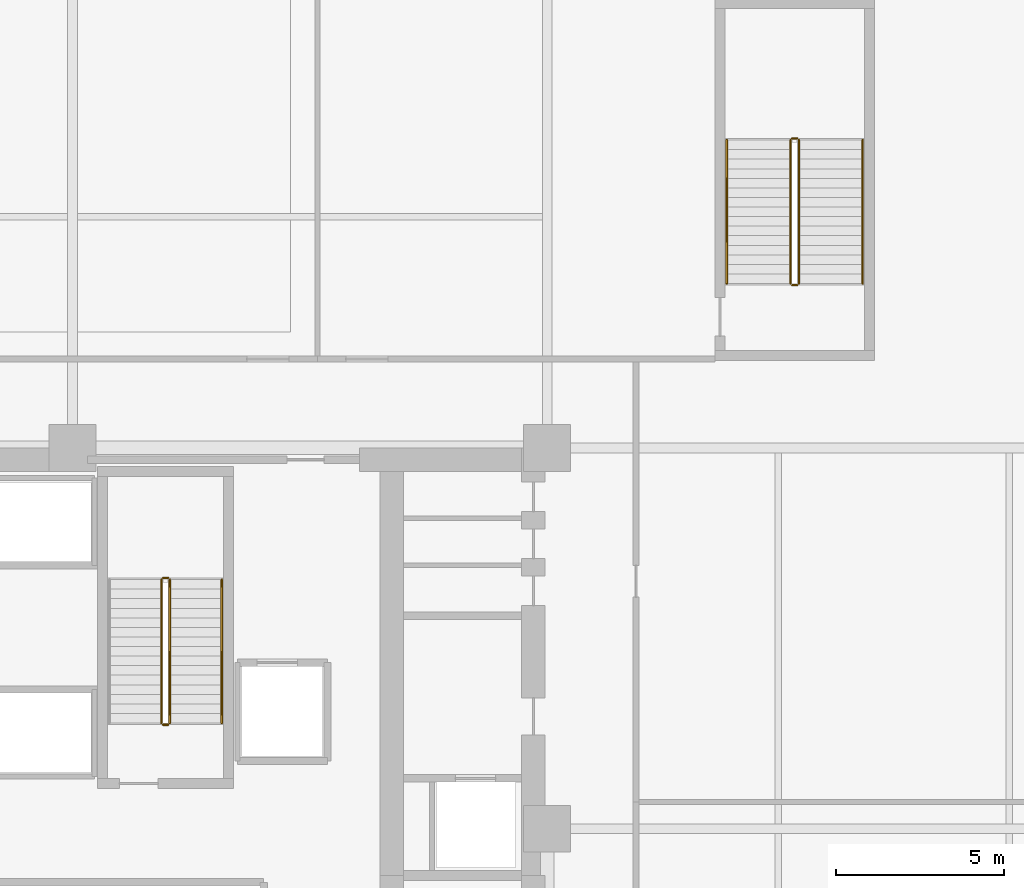
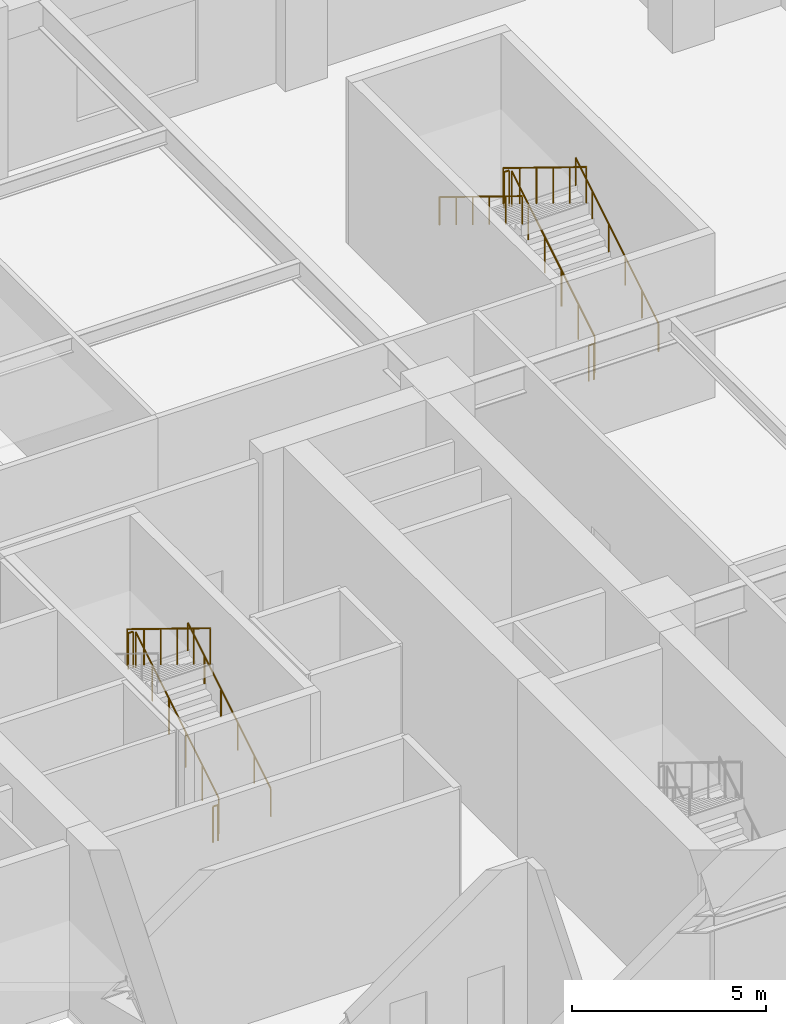
# One storey, part 14 of 14: 11 railings.
"""IFC4 building model written with IfcOpenShell, lengths in metres."""

from ifc_helpers import new_model, si_unit, direction, frame, origin, origin_2d, place, context, subcontext, project, spatial, circle, extrude, material, type_object, element, save


model = new_model("IFC4")

# Units and contexts
model_context = context("Model", 3, precision=1e-05, world=origin(), true_north=direction((0.0, 1.0)))
body_context = subcontext(model_context, "Body", "Model", "MODEL_VIEW")
ifc_project = project(units=[si_unit("LENGTHUNIT", "METRE"), si_unit("AREAUNIT", "SQUARE_METRE"), si_unit("VOLUMEUNIT", "CUBIC_METRE"), si_unit("PLANEANGLEUNIT", "RADIAN"), si_unit("MASSUNIT", "GRAM", prefix="KILO")], contexts=[model_context])

# Site, building, storey
site_placement = place(None, origin())
site = spatial("IfcSite", under=ifc_project, at=site_placement, CompositionType="ELEMENT")
building_placement = place(site_placement, origin())
building = spatial("IfcBuilding", under=site, at=building_placement, Name="Nhamokura Convention Tower", CompositionType="ELEMENT")
storey_placement = place(building_placement, frame((0.0, 0.0, 23.800048828125)))
storey = spatial("IfcBuildingStorey", under=building, at=storey_placement, Name="L04", CompositionType="ELEMENT", Elevation=23.800048828125)

# Railings
ifc_material_1 = material(Name="Anodised bronze stainless steel", Category="steel")
railing_type_1 = type_object("IfcRailingType", Name="StairWallHandrail_900", PredefinedType="HANDRAIL", material=ifc_material_1)
railing_1_placement = place(storey_placement, frame((33.64990234375, 35.14990234375, 0.175048828125)))
element("IfcRailing", 1, at=railing_1_placement, inside=storey, type_object=railing_type_1, Name="L04 ST-03 stair handrail 1", PredefinedType="HANDRAIL", context=body_context, shape_type="SweptSolid", body=[
    extrude(circle(Radius=0.02392578125, at=origin_2d()), frame((0.0, 0.0, 0.8759765625), z_axis=(0.0, 0.852179220489, 0.52325001306), x_axis=(-1.0, 0.0, 0.0)), (0.0, 0.0, 1.0), 5.0166015625),
    extrude(circle(Radius=0.02099609375, at=origin_2d()), origin(), (0.0, 0.0, 1.0), 0.851806640625),
    extrude(circle(Radius=0.02099609375, at=origin_2d()), frame((0.0, 0.85498046875, 0.52490234375)), (0.0, 0.0, 1.0), 0.851806640625),
    extrude(circle(Radius=0.02099609375, at=origin_2d()), frame((0.0, 1.7099609375, 1.050048828125)), (0.0, 0.0, 1.0), 0.851806640625),
    extrude(circle(Radius=0.02099609375, at=origin_2d()), frame((0.0, 2.565185546875, 1.574951171875)), (0.0, 0.0, 1.0), 0.851806640625),
    extrude(circle(Radius=0.02099609375, at=origin_2d()), frame((0.0, 3.420166015625, 2.10009765625)), (0.0, 0.0, 1.0), 0.851806640625),
    extrude(circle(Radius=0.02099609375, at=origin_2d()), frame((0.0, 4.275146484375, 2.625)), (0.0, 0.0, 1.0), 0.851806640625),
])
railing_2_placement = place(storey_placement, frame((52.75, 48.25, 0.175048828125)))
element("IfcRailing", 2, at=railing_2_placement, inside=storey, type_object=railing_type_1, Name="L04 ST-05 stair handrail 1", PredefinedType="HANDRAIL", context=body_context, shape_type="SweptSolid", body=[
    extrude(circle(Radius=0.02392578125, at=origin_2d()), frame((0.0, 0.0, 0.8759765625), z_axis=(0.0, 0.852165895541, 0.523271713813), x_axis=(-1.0, 0.0, 0.0)), (0.0, 0.0, 1.0), 5.0166015625),
    extrude(circle(Radius=0.02099609375, at=origin_2d()), origin(), (0.0, 0.0, 1.0), 0.851806640625),
    extrude(circle(Radius=0.02099609375, at=origin_2d()), frame((0.0, 0.85498046875, 0.52490234375)), (0.0, 0.0, 1.0), 0.851806640625),
    extrude(circle(Radius=0.02099609375, at=origin_2d()), frame((0.0, 1.7099609375, 1.050048828125)), (0.0, 0.0, 1.0), 0.851806640625),
    extrude(circle(Radius=0.02099609375, at=origin_2d()), frame((0.0, 2.56494140625, 1.574951171875)), (0.0, 0.0, 1.0), 0.851806640625),
    extrude(circle(Radius=0.02099609375, at=origin_2d()), frame((0.0, 3.419921875, 2.10009765625)), (0.0, 0.0, 1.0), 0.851806640625),
    extrude(circle(Radius=0.02099609375, at=origin_2d()), frame((0.0, 4.27490234375, 2.625)), (0.0, 0.0, 1.0), 0.851806640625),
])
railing_3_placement = place(storey_placement, frame((48.699951171875, 52.52490234375, 2.974853515625)))
element("IfcRailing", 3, at=railing_3_placement, inside=storey, type_object=railing_type_1, Name="L04 ST-05 stair handrail 2", PredefinedType="HANDRAIL", context=body_context, shape_type="SweptSolid", body=[
    extrude(circle(Radius=0.02392578125, at=origin_2d()), frame((0.0, 0.0, 0.8759765625), z_axis=(0.0, -0.852165895541, 0.523271713813), x_axis=(1.0, 0.0, 0.0)), (0.0, 0.0, 1.0), 5.0166015625),
    extrude(circle(Radius=0.02099609375, at=origin_2d()), origin(), (0.0, 0.0, 1.0), 0.851806640625),
    extrude(circle(Radius=0.02099609375, at=origin_2d()), frame((0.0, -0.85498046875, 0.52490234375)), (0.0, 0.0, 1.0), 0.851806640625),
    extrude(circle(Radius=0.02099609375, at=origin_2d()), frame((0.0, -1.7099609375, 1.050048828125)), (0.0, 0.0, 1.0), 0.851806640625),
    extrude(circle(Radius=0.02099609375, at=origin_2d()), frame((0.0, -2.56494140625, 1.574951171875)), (0.0, 0.0, 1.0), 0.851806640625),
    extrude(circle(Radius=0.02099609375, at=origin_2d()), frame((0.0, -3.419921875, 2.10009765625)), (0.0, 0.0, 1.0), 0.851806640625),
    extrude(circle(Radius=0.02099609375, at=origin_2d()), frame((0.0, -4.27490234375, 2.625)), (0.0, 0.0, 1.0), 0.851806640625),
])
ifc_material_2 = material(Name="Painted tubular steel", Category="steel")
railing_type_2 = type_object("IfcRailingType", Name="StairWellGuardrail_1150", PredefinedType="GUARDRAIL", material=ifc_material_2)
railing_4_placement = place(storey_placement, frame((32.10009765625, 35.14990234375, 0.175048828125)))
element("IfcRailing", 4, at=railing_4_placement, inside=storey, type_object=railing_type_2, Name="L04 ST-03 stair guard 1", PredefinedType="GUARDRAIL", context=body_context, shape_type="SweptSolid", body=[
    extrude(circle(Radius=0.02392578125, at=origin_2d()), frame((0.0, 0.0, 1.1259765625), z_axis=(0.0, 0.852179220489, 0.52325001306), x_axis=(-1.0, 0.0, 0.0)), (0.0, 0.0, 1.0), 5.0166015625),
    extrude(circle(Radius=0.02099609375, at=origin_2d()), origin(), (0.0, 0.0, 1.0), 1.101806640625),
    extrude(circle(Radius=0.02099609375, at=origin_2d()), frame((0.0, 0.85498046875, 0.52490234375)), (0.0, 0.0, 1.0), 1.101806640625),
    extrude(circle(Radius=0.02099609375, at=origin_2d()), frame((0.0, 1.7099609375, 1.050048828125)), (0.0, 0.0, 1.0), 1.101806640625),
    extrude(circle(Radius=0.02099609375, at=origin_2d()), frame((0.0, 2.565185546875, 1.574951171875)), (0.0, 0.0, 1.0), 1.101806640625),
    extrude(circle(Radius=0.02099609375, at=origin_2d()), frame((0.0, 3.420166015625, 2.10009765625)), (0.0, 0.0, 1.0), 1.101806640625),
    extrude(circle(Radius=0.02099609375, at=origin_2d()), frame((0.0, 4.275146484375, 2.625)), (0.0, 0.0, 1.0), 1.101806640625),
])
railing_5_placement = place(storey_placement, frame((32.050048828125, 39.47509765625, 2.800048828125)))
element("IfcRailing", 5, at=railing_5_placement, inside=storey, type_object=railing_type_2, Name="L04 ST-03 stair guard 2", PredefinedType="GUARDRAIL", context=body_context, shape_type="SweptSolid", body=[
    extrude(circle(Radius=0.02392578125, at=origin_2d()), frame((0.0, 0.0, 1.1259765625), z_axis=(-1.0, 0.0, 0.0), x_axis=(0.0, -1.0, 0.0)), (0.0, 0.0, 1.0), 0.150146484375),
    extrude(circle(Radius=0.02099609375, at=origin_2d()), origin(), (0.0, 0.0, 1.0), 1.101806640625),
    extrude(circle(Radius=0.02099609375, at=origin_2d()), frame((-0.150146484375, 0.0, 0.0)), (0.0, 0.0, 1.0), 1.101806640625),
])
railing_6_placement = place(storey_placement, frame((31.85009765625, 39.425048828125, 2.974853515625)))
element("IfcRailing", 6, at=railing_6_placement, inside=storey, type_object=railing_type_2, Name="L04 ST-03 stair guard 3", PredefinedType="GUARDRAIL", context=body_context, shape_type="SweptSolid", body=[
    extrude(circle(Radius=0.02392578125, at=origin_2d()), frame((0.0, 0.0, 1.1259765625), z_axis=(0.0, -0.852179220489, 0.52325001306), x_axis=(1.0, 0.0, 0.0)), (0.0, 0.0, 1.0), 5.0166015625),
    extrude(circle(Radius=0.02099609375, at=origin_2d()), origin(), (0.0, 0.0, 1.0), 1.101806640625),
    extrude(circle(Radius=0.02099609375, at=origin_2d()), frame((0.0, -0.85498046875, 0.52490234375)), (0.0, 0.0, 1.0), 1.101806640625),
    extrude(circle(Radius=0.02099609375, at=origin_2d()), frame((0.0, -1.7099609375, 1.050048828125)), (0.0, 0.0, 1.0), 1.101806640625),
    extrude(circle(Radius=0.02099609375, at=origin_2d()), frame((0.0, -2.565185546875, 1.574951171875)), (0.0, 0.0, 1.0), 1.101806640625),
    extrude(circle(Radius=0.02099609375, at=origin_2d()), frame((0.0, -3.420166015625, 2.10009765625)), (0.0, 0.0, 1.0), 1.101806640625),
    extrude(circle(Radius=0.02099609375, at=origin_2d()), frame((0.0, -4.275146484375, 2.625)), (0.0, 0.0, 1.0), 1.101806640625),
])
railing_7_placement = place(storey_placement, frame((32.050048828125, 35.10009765625, 0.0)))
element("IfcRailing", 7, at=railing_7_placement, inside=storey, type_object=railing_type_2, Name="L04 ST-03 stair guard 4", PredefinedType="GUARDRAIL", context=body_context, shape_type="SweptSolid", body=[
    extrude(circle(Radius=0.02392578125, at=origin_2d()), frame((0.0, 0.0, 1.1259765625), z_axis=(-1.0, 0.0, 0.0), x_axis=(0.0, -1.0, 0.0)), (0.0, 0.0, 1.0), 0.150146484375),
    extrude(circle(Radius=0.02099609375, at=origin_2d()), origin(), (0.0, 0.0, 1.0), 1.101806640625),
    extrude(circle(Radius=0.02099609375, at=origin_2d()), frame((-0.150146484375, 0.0, 0.0)), (0.0, 0.0, 1.0), 1.101806640625),
])
railing_8_placement = place(storey_placement, frame((50.85009765625, 48.25, 0.175048828125)))
element("IfcRailing", 8, at=railing_8_placement, inside=storey, type_object=railing_type_2, Name="L04 ST-05 stair guard 1", PredefinedType="GUARDRAIL", context=body_context, shape_type="SweptSolid", body=[
    extrude(circle(Radius=0.02392578125, at=origin_2d()), frame((0.0, 0.0, 1.1259765625), z_axis=(0.0, 0.852165895541, 0.523271713813), x_axis=(-1.0, 0.0, 0.0)), (0.0, 0.0, 1.0), 5.0166015625),
    extrude(circle(Radius=0.02099609375, at=origin_2d()), origin(), (0.0, 0.0, 1.0), 1.101806640625),
    extrude(circle(Radius=0.02099609375, at=origin_2d()), frame((0.0, 0.85498046875, 0.52490234375)), (0.0, 0.0, 1.0), 1.101806640625),
    extrude(circle(Radius=0.02099609375, at=origin_2d()), frame((0.0, 1.7099609375, 1.050048828125)), (0.0, 0.0, 1.0), 1.101806640625),
    extrude(circle(Radius=0.02099609375, at=origin_2d()), frame((0.0, 2.56494140625, 1.574951171875)), (0.0, 0.0, 1.0), 1.101806640625),
    extrude(circle(Radius=0.02099609375, at=origin_2d()), frame((0.0, 3.419921875, 2.10009765625)), (0.0, 0.0, 1.0), 1.101806640625),
    extrude(circle(Radius=0.02099609375, at=origin_2d()), frame((0.0, 4.27490234375, 2.625)), (0.0, 0.0, 1.0), 1.101806640625),
])
railing_9_placement = place(storey_placement, frame((50.800048828125, 52.574951171875, 2.800048828125)))
element("IfcRailing", 9, at=railing_9_placement, inside=storey, type_object=railing_type_2, Name="L04 ST-05 stair guard 2", PredefinedType="GUARDRAIL", context=body_context, shape_type="SweptSolid", body=[
    extrude(circle(Radius=0.02392578125, at=origin_2d()), frame((0.0, 0.0, 1.1259765625), z_axis=(-1.0, 0.0, 0.0), x_axis=(0.0, -1.0, 0.0)), (0.0, 0.0, 1.0), 0.150146484375),
    extrude(circle(Radius=0.02099609375, at=origin_2d()), origin(), (0.0, 0.0, 1.0), 1.101806640625),
    extrude(circle(Radius=0.02099609375, at=origin_2d()), frame((-0.150146484375, 0.0, 0.0)), (0.0, 0.0, 1.0), 1.101806640625),
])
railing_10_placement = place(storey_placement, frame((50.60009765625, 52.52490234375, 2.974853515625)))
element("IfcRailing", 10, at=railing_10_placement, inside=storey, type_object=railing_type_2, Name="L04 ST-05 stair guard 3", PredefinedType="GUARDRAIL", context=body_context, shape_type="SweptSolid", body=[
    extrude(circle(Radius=0.02392578125, at=origin_2d()), frame((0.0, 0.0, 1.1259765625), z_axis=(0.0, -0.852165895541, 0.523271713813), x_axis=(1.0, 0.0, 0.0)), (0.0, 0.0, 1.0), 5.0166015625),
    extrude(circle(Radius=0.02099609375, at=origin_2d()), origin(), (0.0, 0.0, 1.0), 1.101806640625),
    extrude(circle(Radius=0.02099609375, at=origin_2d()), frame((0.0, -0.85498046875, 0.52490234375)), (0.0, 0.0, 1.0), 1.101806640625),
    extrude(circle(Radius=0.02099609375, at=origin_2d()), frame((0.0, -1.7099609375, 1.050048828125)), (0.0, 0.0, 1.0), 1.101806640625),
    extrude(circle(Radius=0.02099609375, at=origin_2d()), frame((0.0, -2.56494140625, 1.574951171875)), (0.0, 0.0, 1.0), 1.101806640625),
    extrude(circle(Radius=0.02099609375, at=origin_2d()), frame((0.0, -3.419921875, 2.10009765625)), (0.0, 0.0, 1.0), 1.101806640625),
    extrude(circle(Radius=0.02099609375, at=origin_2d()), frame((0.0, -4.27490234375, 2.625)), (0.0, 0.0, 1.0), 1.101806640625),
])
railing_11_placement = place(storey_placement, frame((50.800048828125, 48.199951171875, 0.0)))
element("IfcRailing", 11, at=railing_11_placement, inside=storey, type_object=railing_type_2, Name="L04 ST-05 stair guard 4", PredefinedType="GUARDRAIL", context=body_context, shape_type="SweptSolid", body=[
    extrude(circle(Radius=0.02392578125, at=origin_2d()), frame((0.0, 0.0, 1.1259765625), z_axis=(-1.0, 0.0, 0.0), x_axis=(0.0, -1.0, 0.0)), (0.0, 0.0, 1.0), 0.150146484375),
    extrude(circle(Radius=0.02099609375, at=origin_2d()), origin(), (0.0, 0.0, 1.0), 1.101806640625),
    extrude(circle(Radius=0.02099609375, at=origin_2d()), frame((-0.150146484375, 0.0, 0.0)), (0.0, 0.0, 1.0), 1.101806640625),
])

save(model, "model.ifc")
